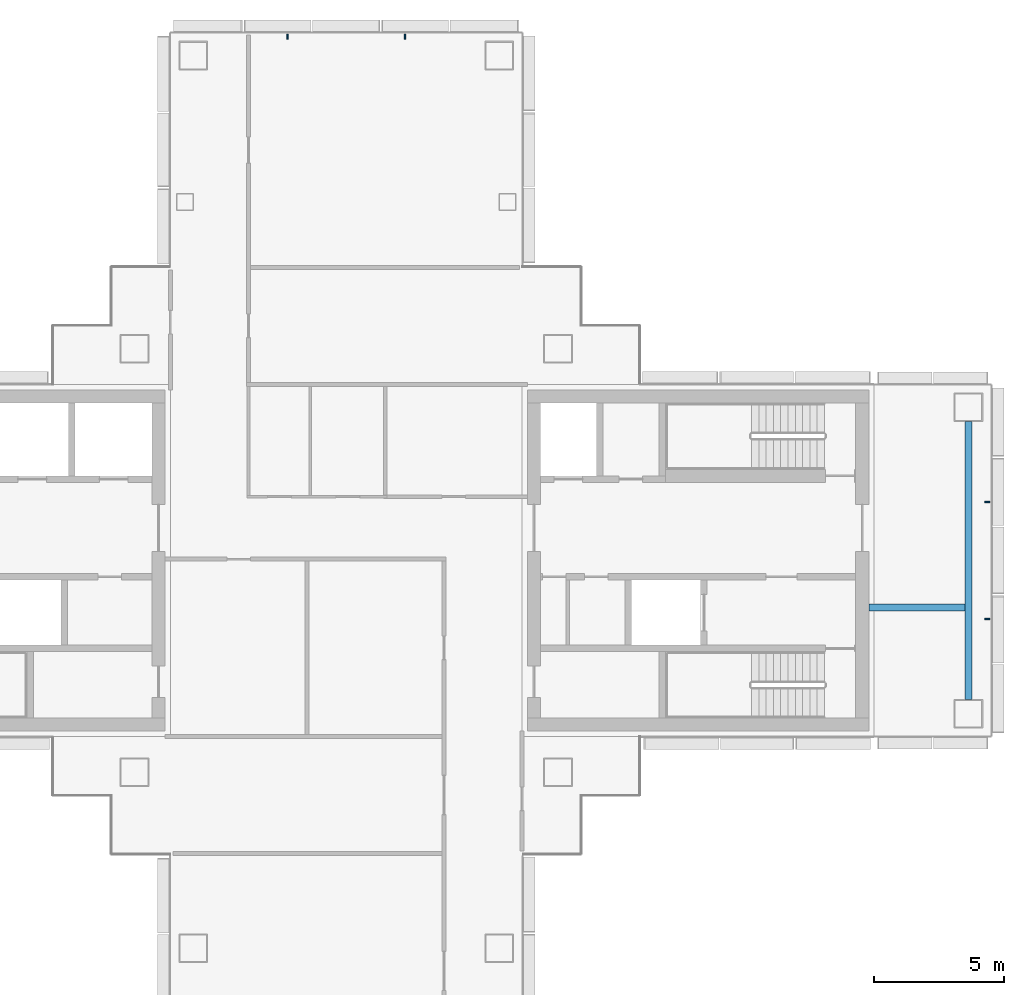
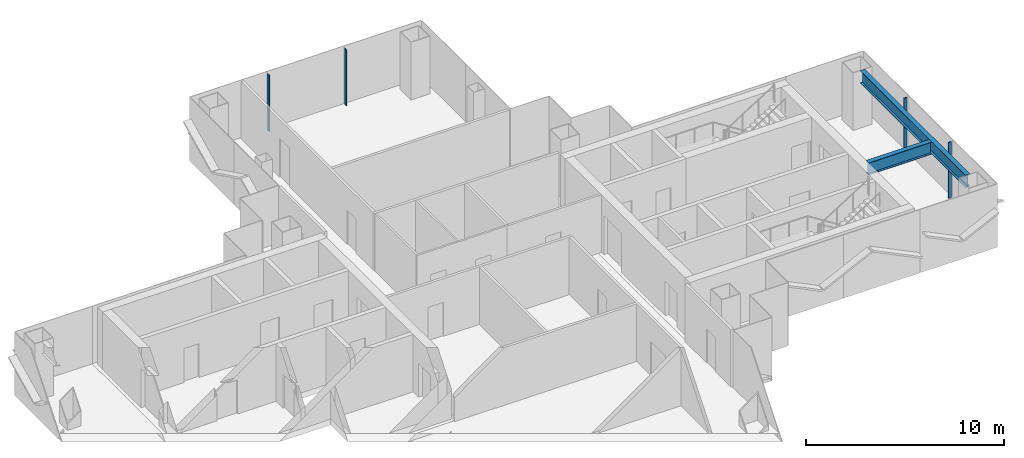
# One storey, part 6 of 16: 4 members, 2 beams, 2 elements without a shape of their own.
"""IFC4 building model written with IfcOpenShell, lengths in metres."""

from ifc_helpers import new_model, si_unit, direction, frame, origin, origin_2d, place, context, subcontext, project, spatial, rectangle, i_section, extrude, material, layer, layer_set, material_profile, profile_set, type_object, element, aggregate, save


model = new_model("IFC4")

# Units and contexts
model_context = context("Model", 3, precision=1e-05, world=origin(), true_north=direction((0.0, 1.0)))
body_context = subcontext(model_context, "Body", "Model", "MODEL_VIEW")
ifc_project = project(units=[si_unit("LENGTHUNIT", "METRE"), si_unit("AREAUNIT", "SQUARE_METRE"), si_unit("VOLUMEUNIT", "CUBIC_METRE"), si_unit("PLANEANGLEUNIT", "RADIAN"), si_unit("MASSUNIT", "GRAM", prefix="KILO")], contexts=[model_context])

# Site, building, storey
site_placement = place(None, origin())
site = spatial("IfcSite", under=ifc_project, at=site_placement, CompositionType="ELEMENT")
building_placement = place(site_placement, origin())
building = spatial("IfcBuilding", under=site, at=building_placement, Name="Shamsa Quay Exchange Towers", CompositionType="ELEMENT")
storey_placement = place(building_placement, frame((0.0, 0.0, 166.199951171875)))
storey = spatial("IfcBuildingStorey", under=building, at=storey_placement, Name="L39", CompositionType="ELEMENT", Elevation=166.199951171875)

# Curtain wall, members
ifc_material_1 = material(Name="Aluminium EN AW-6063 T6, black anodised", Category="aluminium")
ifc_layer = layer(ifc_material_1, 0.280029296875)
ifc_layer_set = layer_set([ifc_layer], Name="CW-1 UNITISED VISION GLASS")
curtain_wall_type = type_object("IfcCurtainWallType", Name="CW-1 UNITISED VISION GLASS", PredefinedType="NOTDEFINED", material=ifc_layer_set)
curtain_wall_1_placement = place(storey_placement, origin())
curtain_wall_1 = element("IfcCurtainWall", 1, at=curtain_wall_1_placement, inside=storey, type_object=curtain_wall_type, Name="CW1 T2-END-V- L39", PredefinedType="NOTDEFINED")
ifc_material_profile_1 = material_profile(ifc_material_1, rectangle(XDim=0.179931640625, YDim=0.06005859375, at=origin_2d()), Name="MU60x180")
ifc_profile_set_1 = profile_set([ifc_material_profile_1], Name="Aluminium EN AW-6063 T6, black anodised")
member_type = type_object("IfcMemberType", Name="CW1 MULLION 60x180", PredefinedType="MULLION", material=ifc_profile_set_1)
member_1_placement = place(storey_placement, frame((58.35009765625, -2.25, 0.0), z_axis=(0.0, 0.0, 1.0), x_axis=(-1.0, 0.0, 0.0)))
member_1 = element("IfcMember", 2, at=member_1_placement, type_object=member_type, Name="CW1 mullion", PredefinedType="MULLION", context=body_context, shape_type="SweptSolid", body=[
    extrude(rectangle(XDim=0.179931640625, YDim=0.06005859375, at=origin_2d()), origin(), (0.0, 0.0, 1.0), 3.449951171875),
])
member_2_placement = place(storey_placement, frame((58.35009765625, 2.25, 0.0), z_axis=(0.0, 0.0, 1.0), x_axis=(-1.0, 0.0, 0.0)))
member_2 = element("IfcMember", 3, at=member_2_placement, type_object=member_type, Name="CW1 mullion", PredefinedType="MULLION", context=body_context, shape_type="SweptSolid", body=[
    extrude(rectangle(XDim=0.179931640625, YDim=0.06005859375, at=origin_2d()), origin(), (0.0, 0.0, 1.0), 3.449951171875),
])
aggregate(curtain_wall_1, [member_1, member_2])

curtain_wall_2_placement = place(storey_placement, origin())
curtain_wall_2 = element("IfcCurtainWall", 4, at=curtain_wall_2_placement, inside=storey, type_object=curtain_wall_type, Name="CW1 T2-END-U+ L39", PredefinedType="NOTDEFINED")
member_3_placement = place(storey_placement, frame((36.0, 20.10009765625, 0.0), z_axis=(0.0, 0.0, 1.0), x_axis=(0.0, -1.0, 0.0)))
member_3 = element("IfcMember", 5, at=member_3_placement, type_object=member_type, Name="CW1 mullion", PredefinedType="MULLION", context=body_context, shape_type="SweptSolid", body=[
    extrude(rectangle(XDim=0.179931640625, YDim=0.06005859375, at=origin_2d()), origin(), (0.0, 0.0, 1.0), 3.449951171875),
])
member_4_placement = place(storey_placement, frame((31.5, 20.10009765625, 0.0), z_axis=(0.0, 0.0, 1.0), x_axis=(0.0, -1.0, 0.0)))
member_4 = element("IfcMember", 6, at=member_4_placement, type_object=member_type, Name="CW1 mullion", PredefinedType="MULLION", context=body_context, shape_type="SweptSolid", body=[
    extrude(rectangle(XDim=0.179931640625, YDim=0.06005859375, at=origin_2d()), origin(), (0.0, 0.0, 1.0), 3.449951171875),
])
aggregate(curtain_wall_2, [member_3, member_4])

# Beams
ifc_material_2 = material(Name="Steel S355", Category="steel")
ifc_material_profile_2 = material_profile(ifc_material_2, i_section(OverallWidth=0.26611328125, OverallDepth=0.7578125, WebThickness=0.013916015625, FlangeThickness=0.019287109375, at=origin_2d()), Name="W30x108")
ifc_profile_set_2 = profile_set([ifc_material_profile_2], Name="Steel S355")
beam_type = type_object("IfcBeamType", Name="End-zone beam W30x108", PredefinedType="BEAM", material=ifc_profile_set_2)
beam_1_placement = place(storey_placement, frame((57.625, -5.324951171875, 3.171142578125), z_axis=(0.0, 1.0, 0.0), x_axis=(-1.0, 0.0, 0.0)))
element("IfcBeam", 7, at=beam_1_placement, inside=storey, type_object=beam_type, Name="End beam T2 V- end zone L39", PredefinedType="BEAM", context=body_context, shape_type="SweptSolid", body=[
    extrude(i_section(OverallWidth=0.26611328125, OverallDepth=0.7578125, WebThickness=0.013916015625, FlangeThickness=0.019287109375, at=origin_2d()), origin(), (0.0, 0.0, 1.0), 10.64990234375),
])
beam_2_placement = place(storey_placement, frame((53.800048828125, -1.800048828125, 3.171142578125), z_axis=(1.0, 0.0, 0.0), x_axis=(0.0, 1.0, 0.0)))
element("IfcBeam", 8, at=beam_2_placement, inside=storey, type_object=beam_type, Name="Spine beam T2 V- end zone L39", PredefinedType="BEAM", context=body_context, shape_type="SweptSolid", body=[
    extrude(i_section(OverallWidth=0.26611328125, OverallDepth=0.7578125, WebThickness=0.013916015625, FlangeThickness=0.019287109375, at=origin_2d()), origin(), (0.0, 0.0, 1.0), 3.69189453125),
])

save(model, "model.ifc")
